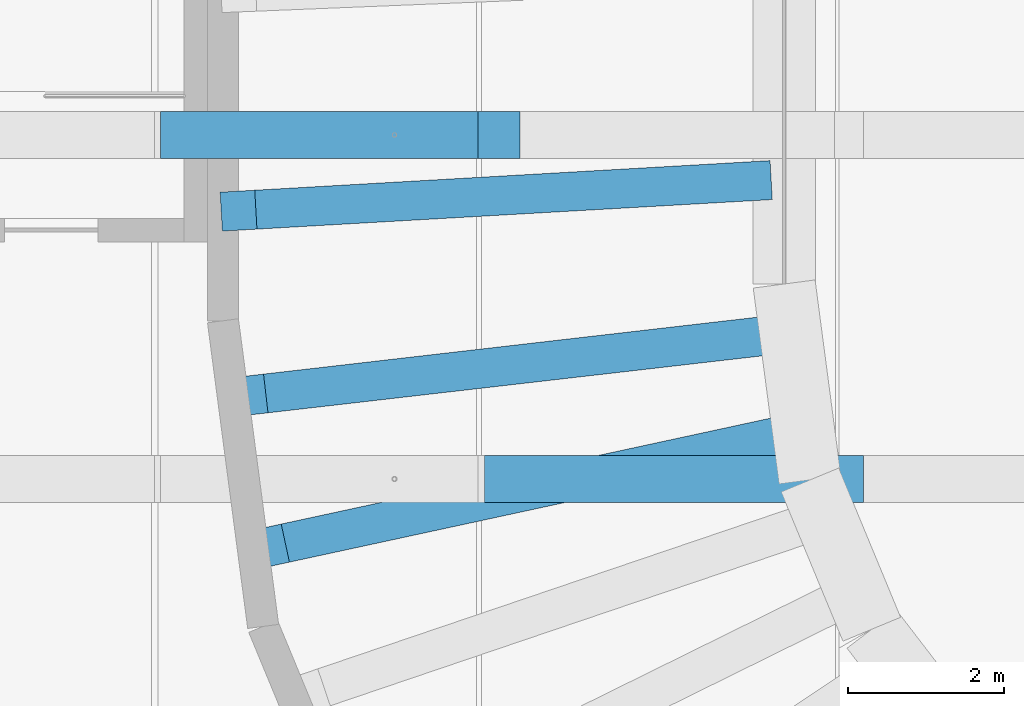
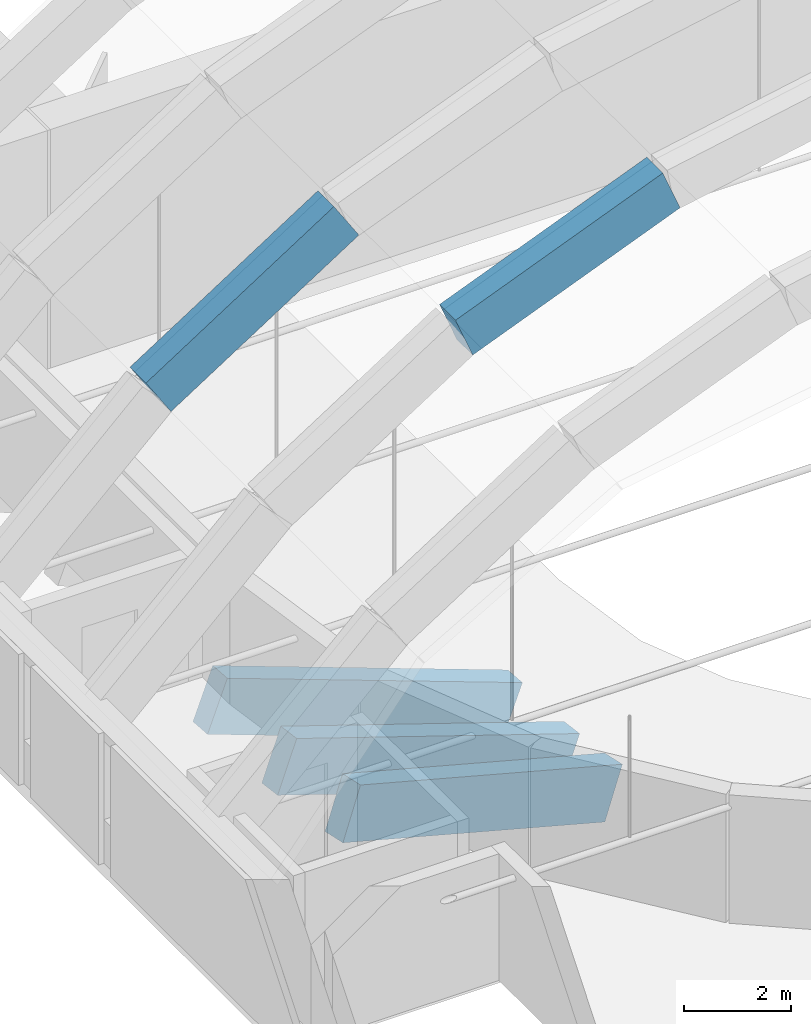
# One storey, part 24 of 94: 5 beams.
"""IFC4 building model written with IfcOpenShell, lengths in metres."""

from ifc_helpers import new_model, si_unit, direction, frame, origin, origin_2d, place, context, subcontext, project, spatial, rectangle, extrude, material, material_profile, profile_set, type_object, element, save


model = new_model("IFC4")

# Units and contexts
model_context = context("Model", 3, precision=1e-05, world=origin(), true_north=direction((0.0, 1.0)))
body_context = subcontext(model_context, "Body", "Model", "MODEL_VIEW")
ifc_project = project(units=[si_unit("LENGTHUNIT", "METRE"), si_unit("AREAUNIT", "SQUARE_METRE"), si_unit("VOLUMEUNIT", "CUBIC_METRE"), si_unit("PLANEANGLEUNIT", "RADIAN"), si_unit("MASSUNIT", "GRAM", prefix="KILO")], contexts=[model_context])

# Site, building, storey
site_placement = place(None, origin())
site = spatial("IfcSite", under=ifc_project, at=site_placement, CompositionType="ELEMENT")
building_placement = place(site_placement, origin())
building = spatial("IfcBuilding", under=site, at=building_placement, Name="Lunette Opera House", CompositionType="ELEMENT")
storey_placement = place(building_placement, frame((0.0, 0.0, 22.5)))
storey = spatial("IfcBuildingStorey", under=building, at=storey_placement, Name="L04", CompositionType="ELEMENT", Elevation=22.5)

# Beams
ifc_material_1 = material(Name="Concrete C40/50", Category="concrete")
ifc_material_profile_1 = material_profile(ifc_material_1, rectangle(XDim=0.60009765625, YDim=1.0, at=origin_2d()), Name="ARCH BEAM 600X1000")
ifc_profile_set_1 = profile_set([ifc_material_profile_1], Name="Concrete C40/50")
beam_type_1 = type_object("IfcBeamType", Name="ARCH BEAM 600X1000", PredefinedType="BEAM", material=ifc_profile_set_1)
beam_1_placement = place(storey_placement, frame((84.340087890625, 81.95703125, 8.548095703125), z_axis=(0.92830257193, 0.0, 0.371825678172), x_axis=(0.0, 1.0, 0.0)))
element("IfcBeam", 1, at=beam_1_placement, inside=storey, type_object=beam_type_1, Name="beam-AU-L04-EA5-3", PredefinedType="BEAM", context=body_context, shape_type="SweptSolid", body=[
    extrude(rectangle(XDim=0.60009765625, YDim=1.0, at=origin_2d()), origin(), (0.0, 0.0, 1.0), 4.837890625),
])
beam_2_placement = place(storey_placement, frame((80.27001953125, 86.37109375, 5.931884765625), z_axis=(0.84120306647, 0.0, 0.54071933659), x_axis=(0.0, 1.0, 0.0)))
element("IfcBeam", 2, at=beam_2_placement, inside=storey, type_object=beam_type_1, Name="beam-AU-L04-EA6-2", PredefinedType="BEAM", context=body_context, shape_type="SweptSolid", body=[
    extrude(rectangle(XDim=0.60009765625, YDim=1.0, at=origin_2d()), origin(), (0.0, 0.0, 1.0), 4.83837890625),
])
ifc_material_2 = material(Name="Concrete C35/45", Category="concrete")
ifc_material_profile_2 = material_profile(ifc_material_2, rectangle(XDim=0.5, YDim=1.199951171875, at=origin_2d()), Name="RAKER BEAM 500X1200")
ifc_profile_set_2 = profile_set([ifc_material_profile_2], Name="Concrete C35/45")
beam_type_2 = type_object("IfcBeamType", Name="RAKER BEAM 500X1200", PredefinedType="BEAM", material=ifc_profile_set_2)
beam_3_placement = place(storey_placement, frame((81.0, 85.39990234375, -0.845947265625), z_axis=(0.927182002301, 0.053174550374, -0.370818017095), x_axis=(-0.057256630356, 0.998359493509, 0.0)))
element("IfcBeam", 3, at=beam_3_placement, inside=storey, type_object=beam_type_2, Name="beam-AU-L04-RKT3-01-4", PredefinedType="BEAM", context=body_context, shape_type="SweptSolid", body=[
    extrude(rectangle(XDim=0.5, YDim=1.199951171875, at=origin_2d()), origin(), (0.0, 0.0, 1.0), 7.13037109375),
])
beam_4_placement = place(storey_placement, frame((81.1279296875, 83.029052734375, -0.845947265625), z_axis=(0.922381193979, 0.106300669219, -0.371366531499), x_axis=(-0.114488133719, 0.99342461578, 0.0)))
element("IfcBeam", 4, at=beam_4_placement, inside=storey, type_object=beam_type_2, Name="beam-AU-L04-RKT3-02-1", PredefinedType="BEAM", context=body_context, shape_type="SweptSolid", body=[
    extrude(rectangle(XDim=0.5, YDim=1.199951171875, at=origin_2d()), origin(), (0.0, 0.0, 1.0), 7.119873046875),
])
beam_5_placement = place(storey_placement, frame((81.383056640625, 81.087890625, -0.845947265625), z_axis=(0.907922424273, 0.196469243629, -0.370238717331), x_axis=(-0.211499077451, 0.977378197136, 0.0)))
element("IfcBeam", 5, at=beam_5_placement, inside=storey, type_object=beam_type_2, Name="beam-AU-L04-RKT3-02-2", PredefinedType="BEAM", context=body_context, shape_type="SweptSolid", body=[
    extrude(rectangle(XDim=0.5, YDim=1.199951171875, at=origin_2d()), origin(), (0.0, 0.0, 1.0), 7.141357421875),
])

save(model, "model.ifc")
